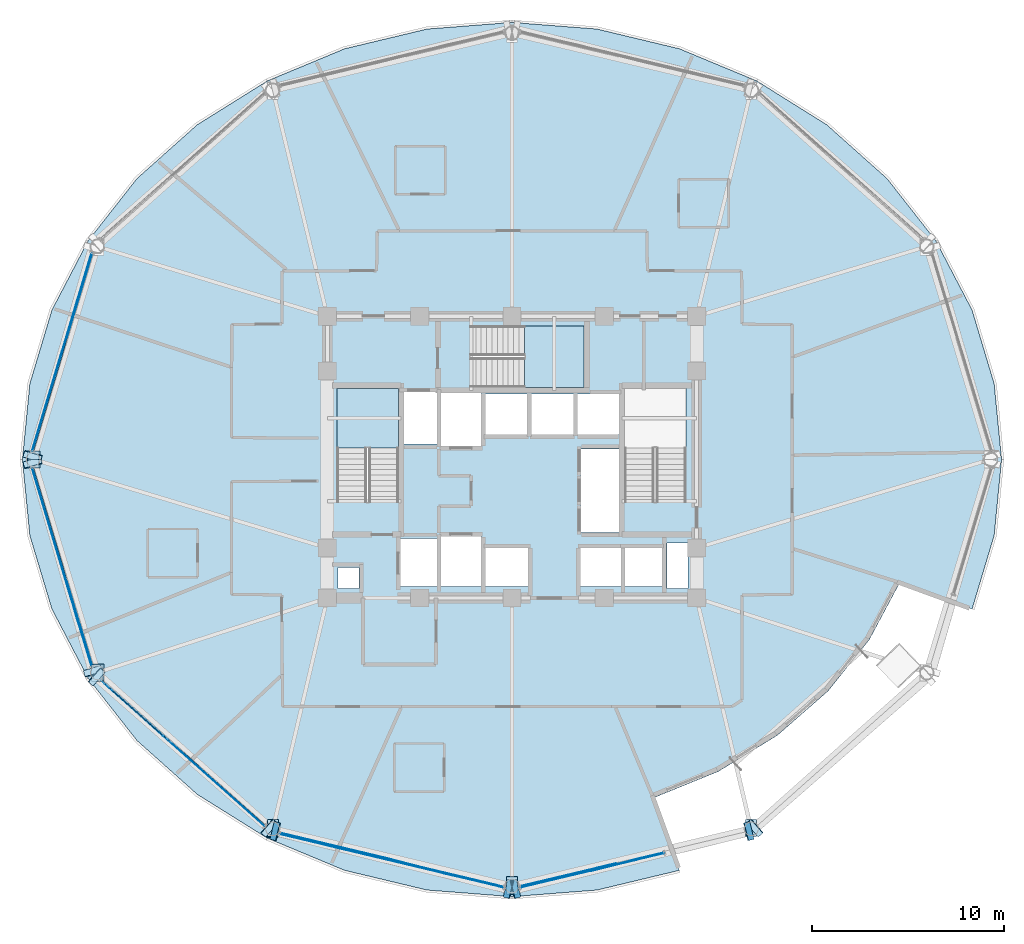
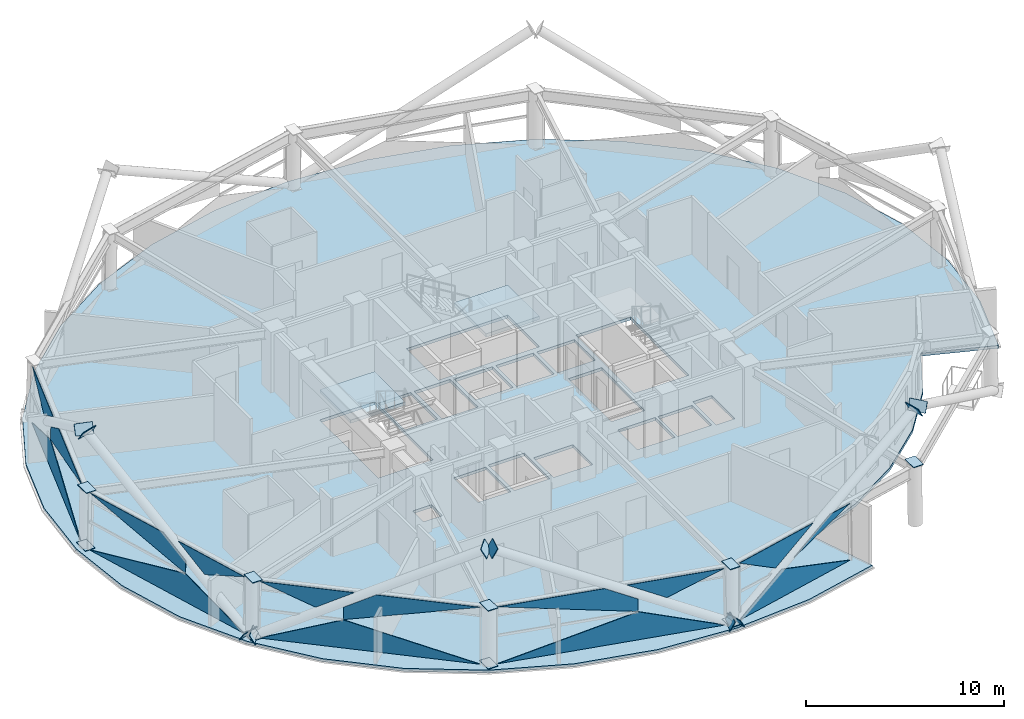
# One storey, part 8 of 17: 34 plates, 3 slabs, 7 elements without a shape of their own.
"""IFC4 building model written with IfcOpenShell, lengths in metres."""

from ifc_helpers import new_model, si_unit, direction, frame, origin, place, context, subcontext, project, spatial, polyline, outline, extrude, material, layer, layer_set, type_object, element, aggregate, save


model = new_model("IFC4")

# Units and contexts
model_context = context("Model", 3, precision=1e-05, world=origin(), true_north=direction((0.0, 1.0)))
body_context = subcontext(model_context, "Body", "Model", "MODEL_VIEW")
ifc_project = project(units=[si_unit("LENGTHUNIT", "METRE"), si_unit("AREAUNIT", "SQUARE_METRE"), si_unit("VOLUMEUNIT", "CUBIC_METRE"), si_unit("PLANEANGLEUNIT", "RADIAN"), si_unit("MASSUNIT", "GRAM", prefix="KILO")], contexts=[model_context])

# Site, building, storey
site_placement = place(None, origin())
site = spatial("IfcSite", under=ifc_project, at=site_placement, CompositionType="ELEMENT")
building_placement = place(site_placement, origin())
building = spatial("IfcBuilding", under=site, at=building_placement, Name="Vantalir Tower", CompositionType="ELEMENT")
storey_placement = place(building_placement, frame((0.0, 0.0, 142.199951171875)))
storey = spatial("IfcBuildingStorey", under=building, at=storey_placement, Name="L35", CompositionType="ELEMENT", Elevation=142.199951171875)

# Curtain wall, plates
ifc_material_1 = material(Name="Champagne-silver PVDF aluminium and double-silver Low-E glass", Category="aluminium")
ifc_layer_1 = layer(ifc_material_1, 0.199951171875)
ifc_layer_set_1 = layer_set([ifc_layer_1], Name="Champagne-silver PVDF aluminium and double-silver Low-E glass")
curtain_wall_type = type_object("IfcCurtainWallType", Name="CW-DIAMOND-Z2", PredefinedType="USERDEFINED", material=ifc_layer_set_1)
curtain_wall_1_placement = place(storey_placement, origin())
curtain_wall_1 = element("IfcCurtainWall", 1, at=curtain_wall_1_placement, inside=storey, type_object=curtain_wall_type, Name="L35 Quilted Pyramid-Diamond Curtain Wall S06", ObjectType="UNITISED CURTAIN WALL", PredefinedType="USERDEFINED")
ifc_material_2 = material(Name="Double-silver Low-E laminated glass IGU", Category="glass")
ifc_layer_2 = layer(ifc_material_2, 0.028076171875)
ifc_layer_set_2 = layer_set([ifc_layer_2], Name="Double-silver Low-E laminated glass IGU")
plate_type_1 = type_object("IfcPlateType", Name="CWP-IGU-28", PredefinedType="CURTAIN_PANEL", material=ifc_layer_set_2)
plate_1_placement = place(storey_placement, frame((9.634033203125, 35.749267578125, 0.046875), z_axis=(-0.95766605274, 0.28786194931, 0.003351055053), x_axis=(-0.287863638285, -0.957671407759, -2.2669998e-05)))
plate_1 = element("IfcPlate", 2, at=plate_1_placement, type_object=plate_type_1, Name="CW-L35-S06 Pyramid Diamond Facet 1L", PredefinedType="CURTAIN_PANEL", context=body_context, shape_type="SweptSolid", body=[
    extrude(outline(polyline([(0.0, 0.0), (10.769327014401977, -1.1926223897340549e-18), (4.097775846630751, 1.7261768079038324), (0.0, 0.0)])), origin(), (0.0, 0.0, -1.0), 0.028076171875),
])
plate_2_placement = place(storey_placement, frame((8.0537109375, 30.28466796875, 3.5234375), z_axis=(-0.95721136728, 0.287737880689, 0.030875724556), x_axis=(-0.287873738099, -0.95766837094, 4.7059881e-05)))
plate_2 = element("IfcPlate", 3, at=plate_2_placement, type_object=plate_type_1, Name="CW-L35-S06 Pyramid Diamond Facet 2U", PredefinedType="CURTAIN_PANEL", context=body_context, shape_type="SweptSolid", body=[
    extrude(outline(polyline([(0.0, 0.0), (5.063267981563026, -3.848917712323541e-18), (-1.590380569673861, -1.727066929860366), (-1.590357927524883, -0.9779363349330978), (0.0, 0.0)])), origin(), (0.0, 0.0, -1.0), 0.028076171875),
])
plate_3_placement = place(storey_placement, frame((9.657470703125, 35.73046875, 3.5244140625), z_axis=(-0.957197089036, 0.28777049947, 0.031014067395), x_axis=(-0.287908998639, -0.957657772121, 0.0)))
plate_3 = element("IfcPlate", 4, at=plate_3_placement, type_object=plate_type_1, Name="CW-L35-S06 Pyramid Diamond Facet 2U Infill Light", PredefinedType="CURTAIN_PANEL", context=body_context, shape_type="SweptSolid", body=[
    extrude(outline(polyline([(0.0, 0.0), (4.590107323403678, 0.0), (2.7204257293240954, -1.1497229983005153), (0.0, 0.0)])), origin(), (0.0, 0.0, -1.0), 0.028076171875),
])
aggregate(curtain_wall_1, [plate_1, plate_2, plate_3])

curtain_wall_2_placement = place(storey_placement, origin())
curtain_wall_2 = element("IfcCurtainWall", 5, at=curtain_wall_2_placement, inside=storey, type_object=curtain_wall_type, Name="L35 Quilted Pyramid-Diamond Curtain Wall S07", ObjectType="UNITISED CURTAIN WALL", PredefinedType="USERDEFINED")
plate_4_placement = place(storey_placement, frame((6.533935546875, 24.564208984375, 0.046630859375), z_axis=(-0.95766605274, -0.28786194931, 0.003351055053), x_axis=(0.287863638285, -0.957671407759, 2.2669998e-05)))
plate_4 = element("IfcPlate", 6, at=plate_4_placement, type_object=plate_type_1, Name="CW-L35-S07 Pyramid Diamond Facet 1L", PredefinedType="CURTAIN_PANEL", context=body_context, shape_type="SweptSolid", body=[
    extrude(outline(polyline([(0.0, 0.0), (10.769327014401977, 1.1926223897340549e-18), (6.671551167771227, 1.7261768079038324), (0.0, 0.0)])), origin(), (0.0, 0.0, -1.0), 0.028076171875),
])
plate_5_placement = place(storey_placement, frame((6.595947265625, 24.564208984375, 3.523681640625), z_axis=(-0.95721136728, -0.287737880689, 0.030875724556), x_axis=(0.287873738099, -0.95766837094, -4.7059881e-05)))
plate_5 = element("IfcPlate", 7, at=plate_5_placement, type_object=plate_type_1, Name="CW-L35-S07 Pyramid Diamond Facet 2U", PredefinedType="CURTAIN_PANEL", context=body_context, shape_type="SweptSolid", body=[
    extrude(outline(polyline([(0.0, 0.0), (5.063267981563026, 3.848917712323541e-18), (6.653625909087909, -0.9779363349330977), (6.653648551236888, -1.7270669298603658), (0.0, 0.0)])), origin(), (0.0, 0.0, -1.0), 0.028076171875),
])
plate_6_placement = place(storey_placement, frame((8.3359375, 18.665283203125, 3.5244140625), z_axis=(-0.957197089036, -0.28777049947, 0.031014067395), x_axis=(0.287908998639, -0.957657772121, 0.0)))
plate_6 = element("IfcPlate", 8, at=plate_6_placement, type_object=plate_type_1, Name="CW-L35-S07 Pyramid Diamond Facet 2U Infill Light", PredefinedType="CURTAIN_PANEL", context=body_context, shape_type="SweptSolid", body=[
    extrude(outline(polyline([(0.0, 0.0), (4.590107323403678, 0.0), (1.869681594079583, -1.1497229983005153), (0.0, 0.0)])), origin(), (0.0, 0.0, -1.0), 0.028076171875),
])
aggregate(curtain_wall_2, [plate_4, plate_5, plate_6])

curtain_wall_3_placement = place(storey_placement, origin())
curtain_wall_3 = element("IfcCurtainWall", 9, at=curtain_wall_3_placement, inside=storey, type_object=curtain_wall_type, Name="L35 Quilted Pyramid-Diamond Curtain Wall S08", ObjectType="UNITISED CURTAIN WALL", PredefinedType="USERDEFINED")
plate_7_placement = place(storey_placement, frame((10.1044921875, 13.51220703125, 0.046630859375), z_axis=(-0.665384447468, -0.746495540801, 0.002818622248), x_axis=(0.746498465783, -0.665387135527, -2.1424018e-05)))
plate_7 = element("IfcPlate", 10, at=plate_7_placement, type_object=plate_type_1, Name="CW-L35-S08 Pyramid Diamond Facet 1L", PredefinedType="CURTAIN_PANEL", context=body_context, shape_type="SweptSolid", body=[
    extrude(outline(polyline([(0.0, 0.0), (11.395650932216812, -4.0115480381963664e-18), (4.336856508556239, 1.7266622721472498), (0.0, 0.0)])), origin(), (0.0, 0.0, -1.0), 0.028076171875),
])
plate_8_placement = place(storey_placement, frame((14.636962890625, 9.548583984375, 3.5234375), z_axis=(-0.665070572658, -0.74617913916, 0.029963739217), x_axis=(0.74651525432, -0.665368298715, 4.6166764e-05)))
plate_8 = element("IfcPlate", 11, at=plate_8_placement, type_object=plate_type_1, Name="CW-L35-S08 Pyramid Diamond Facet 2U", PredefinedType="CURTAIN_PANEL", context=body_context, shape_type="SweptSolid", body=[
    extrude(outline(polyline([(0.0, 0.0), (5.365318499112672, -3.3610267347050637e-18), (-1.6839939253707863, -1.7272603207361275), (-1.684050540719146, -0.9808278501973411), (0.0, 0.0)])), origin(), (0.0, 0.0, -1.0), 0.028076171875),
])
plate_9_placement = place(storey_placement, frame((10.13720703125, 13.516357421875, 3.5244140625), z_axis=(-0.665066991562, -0.746188619331, 0.029806729372), x_axis=(0.746520312689, -0.665362624997, 0.0)))
plate_9 = element("IfcPlate", 12, at=plate_9_placement, type_object=plate_type_1, Name="CW-L35-S08 Pyramid Diamond Facet 2U Infill Light", PredefinedType="CURTAIN_PANEL", context=body_context, shape_type="SweptSolid", body=[
    extrude(outline(polyline([(0.0, 0.0), (4.867308846272898, 0.0), (2.8850680383604845, -1.154809979324388), (0.0, 0.0)])), origin(), (0.0, 0.0, -1.0), 0.028076171875),
])
aggregate(curtain_wall_3, [plate_7, plate_8, plate_9])

curtain_wall_4_placement = place(storey_placement, origin())
curtain_wall_4 = element("IfcCurtainWall", 13, at=curtain_wall_4_placement, inside=storey, type_object=curtain_wall_type, Name="L35 Quilted Pyramid-Diamond Curtain Wall S09", ObjectType="UNITISED CURTAIN WALL", PredefinedType="USERDEFINED")
plate_10_placement = place(storey_placement, frame((19.3935546875, 5.521240234375, 0.04638671875), z_axis=(-0.232289817625, -0.972644733842, 0.001913728391), x_axis=(0.972646523782, -0.232290205047, 2.0358475e-05)))
plate_10 = element("IfcPlate", 14, at=plate_10_placement, type_object=plate_type_1, Name="CW-L35-S09 Pyramid Diamond Facet 1L", PredefinedType="CURTAIN_PANEL", context=body_context, shape_type="SweptSolid", body=[
    extrude(outline(polyline([(0.0, 0.0), (11.992087788120713, 1.8973538018496328e-19), (7.428788054169563, 1.7269027050779848), (0.0, 0.0)])), origin(), (0.0, 0.0, -1.0), 0.028076171875),
])
plate_11_placement = place(storey_placement, frame((19.424560546875, 5.5703125, 3.523681640625), z_axis=(-0.23223011881, -0.972215014498, 0.029447198558), x_axis=(0.97263681217, -0.232330866678, 1.87912e-07)))
plate_11 = element("IfcPlate", 15, at=plate_11_placement, type_object=plate_type_1, Name="CW-L35-S09 Pyramid Diamond Facet 2U", PredefinedType="CURTAIN_PANEL", context=body_context, shape_type="SweptSolid", body=[
    extrude(outline(polyline([(0.0, 0.0), (5.6557268985058595, 0.0), (7.409877866376199, -0.9764990824671348), (7.409882545378596, -1.7278003936049133), (0.0, 0.0)])), origin(), (0.0, 0.0, -1.0), 0.028076171875),
])
plate_12_placement = place(storey_placement, frame((26.056884765625, 3.953125, 3.5244140625), z_axis=(-0.232216023165, -0.972217421857, 0.029478860604), x_axis=(0.972640127413, -0.23231698721, 0.0)))
plate_12 = element("IfcPlate", 16, at=plate_12_placement, type_object=plate_type_1, Name="CW-L35-S09 Pyramid Diamond Facet 2U Infill Light", PredefinedType="CURTAIN_PANEL", context=body_context, shape_type="SweptSolid", body=[
    extrude(outline(polyline([(0.0, 0.0), (5.133619230558663, 0.0), (2.0817370982619647, -1.1587066943502888), (0.0, 0.0)])), origin(), (0.0, 0.0, -1.0), 0.028076171875),
])
aggregate(curtain_wall_4, [plate_10, plate_11, plate_12])

curtain_wall_5_placement = place(storey_placement, origin())
curtain_wall_5 = element("IfcCurtainWall", 17, at=curtain_wall_5_placement, inside=storey, type_object=curtain_wall_type, Name="L35 Quilted Pyramid-Diamond Curtain Wall S10", ObjectType="UNITISED CURTAIN WALL", PredefinedType="USERDEFINED")
plate_13_placement = place(storey_placement, frame((31.9423828125, 2.735595703125, 0.04736328125), z_axis=(0.232312419522, -0.972639373843, 0.001894250835), x_axis=(0.972641132331, 0.232312777715, -3.1741054e-05)))
plate_13 = element("IfcPlate", 18, at=plate_13_placement, type_object=plate_type_1, Name="CW-L35-S10 Pyramid Diamond Facet 1L", PredefinedType="CURTAIN_PANEL", context=body_context, shape_type="SweptSolid", body=[
    extrude(outline(polyline([(0.0, 0.0), (7.691635612760562, 1.0842021724855044e-19), (2.9267247667396403, 1.7244612264207384), (0.0, 0.0)])), origin(), (0.0, 0.0, -1.0), 0.028076171875),
])
plate_14_placement = place(storey_placement, frame((31.9423828125, 2.79150390625, 3.522705078125), z_axis=(0.232223829744, -0.972217457596, 0.029416118786), x_axis=(0.972638038239, 0.232325728897, 4.7568741e-05)))
plate_14 = element("IfcPlate", 19, at=plate_14_placement, type_object=plate_type_1, Name="CW-L35-S10 Pyramid Diamond Facet 2U", PredefinedType="CURTAIN_PANEL", context=body_context, shape_type="SweptSolid", body=[
    extrude(outline(polyline([(0.0, 0.0), (5.132375213715207, 1.111307226797642e-18), (2.4868680907481466, -1.472679425546538), (0.0, 0.0)])), origin(), (0.0, 0.0, -1.0), 0.028076171875),
])
plate_15_placement = place(storey_placement, frame((38.08056640625, 4.224853515625, 3.52392578125), z_axis=(0.232212452993, -0.972222314723, 0.029345313579), x_axis=(0.972641198657, 0.232312502194, 0.0)))
plate_15 = element("IfcPlate", 20, at=plate_15_placement, type_object=plate_type_1, Name="CW-L35-S10 Pyramid Diamond Facet 2U Infill Light", PredefinedType="CURTAIN_PANEL", context=body_context, shape_type="SweptSolid", body=[
    extrude(outline(polyline([(0.0, 0.0), (1.3672400328216545, 0.0), (-2.5574580153494644, -1.4237088467617396), (0.0, 0.0)])), origin(), (0.0, 0.0, -1.0), 0.028076171875),
])
aggregate(curtain_wall_5, [plate_13, plate_14, plate_15])

# Plates
ifc_material_3 = material(Name="Steel S460", Category="steel")
ifc_layer_3 = layer(ifc_material_3, 0.0400390625)
ifc_layer_set_3 = layer_set([ifc_layer_3], Name="Steel S460")
plate_type_2 = type_object("IfcPlateType", Name="PLT-KN-Z1", PredefinedType="USERDEFINED", material=ifc_layer_set_3)
plate_16_placement = place(storey_placement, frame((6.070068359375, 25.1298828125, 6.87744140625), z_axis=(-0.236858925411, -0.818279725681, 0.523751983282), x_axis=(0.960567876744, -0.278045597281, 0.0)))
element("IfcPlate", 21, at=plate_16_placement, inside=storey, type_object=plate_type_2, Name="Node Cap Plate MEM-DG-L35-R16L End", ObjectType="FLANGE_PLATE", PredefinedType="USERDEFINED", context=body_context, shape_type="SweptSolid", body=[
    extrude(outline(polyline([(0.0, 0.0), (0.9500605614080703, -2.7755575615628914e-17), (0.9500771241692877, 0.6201883107837914), (1.656276121744793e-05, 0.6201883107837916), (0.0, 0.0)])), origin(), (0.0, 0.0, -1.0), 0.0400390625),
])
plate_17_placement = place(storey_placement, frame((9.718017578125, 13.22509765625, -0.072998046875), z_axis=(0.650136035253, -0.568980051344, 0.503572077103), x_axis=(0.658558929969, 0.752529158231, 4.2074172e-05)))
element("IfcPlate", 22, at=plate_17_placement, inside=storey, type_object=plate_type_2, Name="Node Cap Plate MEM-DG-L35-R22L Start", ObjectType="FLANGE_PLATE", PredefinedType="USERDEFINED", context=body_context, shape_type="SweptSolid", body=[
    extrude(outline(polyline([(0.0, 0.0), (0.9498616586623367, -2.7755575615628914e-17), (0.9499075989294837, 0.6199462587250645), (-0.00011484072161482518, 0.6200387823116502), (0.0, 0.0)])), origin(), (0.0, 0.0, -1.0), 0.0400390625),
])
plate_18_placement = place(storey_placement, frame((18.6953125, 5.36962890625, 6.87744140625), z_axis=(0.65030089794, -0.569041038381, 0.503290213273), x_axis=(0.65852279772, 0.752560778198, 0.0)))
element("IfcPlate", 23, at=plate_18_placement, inside=storey, type_object=plate_type_2, Name="Node Cap Plate MEM-DG-L35-R22L End", ObjectType="FLANGE_PLATE", PredefinedType="USERDEFINED", context=body_context, shape_type="SweptSolid", body=[
    extrude(outline(polyline([(0.0, 0.0), (0.9502061645264489, -2.7755575615628914e-17), (0.9502445541348985, 0.6201572183150383), (3.838960844958326e-05, 0.6201572183150383), (0.0, 0.0)])), origin(), (0.0, 0.0, -1.0), 0.0400390625),
])
plate_19_placement = place(storey_placement, frame((10.1220703125, 14.28955078125, -0.064697265625), z_axis=(-0.236905831818, 0.818441773876, 0.523477496771), x_axis=(-0.960567876744, -0.278045597281, 0.0)))
element("IfcPlate", 24, at=plate_19_placement, inside=storey, type_object=plate_type_2, Name="Node Cap Plate MEM-DG-L35-R22R Start", ObjectType="FLANGE_PLATE", PredefinedType="USERDEFINED", context=body_context, shape_type="SweptSolid", body=[
    extrude(outline(polyline([(0.0, 0.0), (0.9500605614080703, 0.0), (0.949976116420954, 0.62006551598103), (-8.444498711617102e-05, 0.6200655159810299), (0.0, 0.0)])), origin(), (0.0, 0.0, -1.0), 0.0400390625),
])
plate_20_placement = place(storey_placement, frame((6.982666015625, 25.13427734375, 6.87744140625), z_axis=(-0.236858925411, 0.818279725681, 0.523751983282), x_axis=(-0.960567876744, -0.278045597281, 0.0)))
element("IfcPlate", 25, at=plate_20_placement, inside=storey, type_object=plate_type_2, Name="Node Cap Plate MEM-DG-L35-R22R End", ObjectType="FLANGE_PLATE", PredefinedType="USERDEFINED", context=body_context, shape_type="SweptSolid", body=[
    extrude(outline(polyline([(0.0, 0.0), (0.9500605614080703, 2.7755575615628914e-17), (0.9500439986468527, 0.6201883107837916), (-1.656276121744793e-05, 0.6201883107837916), (0.0, 0.0)])), origin(), (0.0, 0.0, -1.0), 0.0400390625),
])
plate_21_placement = place(storey_placement, frame((31.953857421875, 2.253173828125, -0.079833984375), z_axis=(0.848144524582, 0.209958996686, 0.486382652992), x_axis=(-0.240297544555, 0.970699278912, 0.0)))
element("IfcPlate", 26, at=plate_21_placement, inside=storey, type_object=plate_type_2, Name="Node Cap Plate MEM-DG-L35-R28L Start", ObjectType="FLANGE_PLATE", PredefinedType="USERDEFINED", context=body_context, shape_type="SweptSolid", body=[
    extrude(outline(polyline([(0.0, 0.0), (0.9499534620631447, 1.3877787807814457e-17), (0.9499092897203957, 0.6200292794589786), (-4.417234274903259e-05, 0.6200292794589785), (0.0, 0.0)])), origin(), (0.0, 0.0, -1.0), 0.0400390625),
])
plate_22_placement = place(storey_placement, frame((44.088134765625, 5.2587890625, 6.877685546875), z_axis=(0.848092121375, 0.210170565424, 0.486382655007), x_axis=(-0.240539684753, 0.970639304819, 0.0)))
element("IfcPlate", 27, at=plate_22_placement, inside=storey, type_object=plate_type_2, Name="Node Cap Plate MEM-DG-L35-R28L End", ObjectType="FLANGE_PLATE", PredefinedType="USERDEFINED", context=body_context, shape_type="SweptSolid", body=[
    extrude(outline(polyline([(0.0, 0.0), (0.950012158014901, 1.3877787807814457e-17), (0.950043214774454, 0.6200292802546455), (3.1056759552921334e-05, 0.6200292802546455), (0.0, 0.0)])), origin(), (0.0, 0.0, -1.0), 0.0400390625),
])
plate_23_placement = place(storey_placement, frame((31.2744140625, 3.17529296875, -0.079833984375), z_axis=(-0.848144524582, 0.209958996686, 0.486382652992), x_axis=(-0.240297544555, -0.970699278912, 0.0)))
element("IfcPlate", 28, at=plate_23_placement, inside=storey, type_object=plate_type_2, Name="Node Cap Plate MEM-DG-L35-R28R Start", ObjectType="FLANGE_PLATE", PredefinedType="USERDEFINED", context=body_context, shape_type="SweptSolid", body=[
    extrude(outline(polyline([(0.0, 0.0), (0.9499534620631447, -1.3877787807814457e-17), (0.9499976344058936, 0.6200292794589785), (4.417234274903259e-05, 0.6200292794589785), (0.0, 0.0)])), origin(), (0.0, 0.0, -1.0), 0.0400390625),
])
plate_24_placement = place(storey_placement, frame((19.140380859375, 6.180908203125, 6.877685546875), z_axis=(-0.848092121375, 0.210170565424, 0.486382655007), x_axis=(-0.240539684753, -0.970639304819, 0.0)))
element("IfcPlate", 29, at=plate_24_placement, inside=storey, type_object=plate_type_2, Name="Node Cap Plate MEM-DG-L35-R28R End", ObjectType="FLANGE_PLATE", PredefinedType="USERDEFINED", context=body_context, shape_type="SweptSolid", body=[
    extrude(outline(polyline([(0.0, 0.0), (0.950012158014901, -1.3877787807814457e-17), (0.9499811012553481, 0.6200292802546455), (-3.1056759552921334e-05, 0.6200292802546455), (0.0, 0.0)])), origin(), (0.0, 0.0, -1.0), 0.0400390625),
])
plate_25_placement = place(storey_placement, frame((43.678955078125, 6.084716796875, 6.87744140625), z_axis=(-0.65030089794, -0.569041038381, 0.503290213273), x_axis=(0.65852279772, -0.752560778198, 0.0)))
element("IfcPlate", 30, at=plate_25_placement, inside=storey, type_object=plate_type_2, Name="Node Cap Plate MEM-DG-L35-R34R End", ObjectType="FLANGE_PLATE", PredefinedType="USERDEFINED", context=body_context, shape_type="SweptSolid", body=[
    extrude(outline(polyline([(0.0, 0.0), (0.9502061645264489, 2.7755575615628914e-17), (0.9501677749179993, 0.6201572183150383), (-3.838960844958326e-05, 0.6201572183150383), (0.0, 0.0)])), origin(), (0.0, 0.0, -1.0), 0.0400390625),
])
ifc_layer_4 = layer(ifc_material_3, 0.035888671875)
ifc_layer_set_4 = layer_set([ifc_layer_4], Name="Steel S460")
plate_type_3 = type_object("IfcPlateType", Name="PLT-KN-Z2", PredefinedType="USERDEFINED", material=ifc_layer_set_4)
plate_26_placement = place(storey_placement, frame((6.365478515625, 25.43994140625, 3.60302734375), z_axis=(0.017253323722, 0.0, 0.999851150332), x_axis=(0.0, -1.0, 0.0)))
element("IfcPlate", 31, at=plate_26_placement, inside=storey, type_object=plate_type_3, Name="L35 Ring Column Top Cap RC07", ObjectType="FLANGE_PLATE", PredefinedType="USERDEFINED", context=body_context, shape_type="SweptSolid", body=[
    extrude(outline(polyline([(0.0, 0.0), (0.8798828125, 0.0), (0.8798828125, 0.580164482290482), (0.0, 0.580164482290482), (0.0, 0.0)])), origin(), (0.0, 0.0, -1.0), 0.035888671875),
])
plate_27_placement = place(storey_placement, frame((6.303955078125, 25.43994140625, 0.05810546875), z_axis=(0.017260586116, 0.0, 0.999851024987), x_axis=(0.0, -1.0, 0.0)))
element("IfcPlate", 32, at=plate_27_placement, inside=storey, type_object=plate_type_3, Name="L35 Ring Column Base Cap RC07", ObjectType="FLANGE_PLATE", PredefinedType="USERDEFINED", context=body_context, shape_type="SweptSolid", body=[
    extrude(outline(polyline([(0.0, 0.0), (0.8798828125, 0.0), (0.8798828125, 0.5799203780210307), (0.0, 0.5799203780210307), (0.0, 0.0)])), origin(), (0.0, 0.0, -1.0), 0.035888671875),
])
plate_28_placement = place(storey_placement, frame((9.6943359375, 14.378173828125, 3.598876953125), z_axis=(0.015149285974, 0.008045431008, 0.999852874264), x_axis=(0.0, -0.999967627567, 0.008046354384)))
element("IfcPlate", 33, at=plate_28_placement, inside=storey, type_object=plate_type_3, Name="L35 Ring Column Top Cap RC08", ObjectType="FLANGE_PLATE", PredefinedType="USERDEFINED", context=body_context, shape_type="SweptSolid", body=[
    extrude(outline(polyline([(0.0, 0.0), (0.8799112973698919, -1.3552527156068805e-20), (0.879840577458315, 0.580144700675477), (-7.071991157689284e-05, 0.580144700675477), (0.0, 0.0)])), origin(), (0.0, 0.0, -1.0), 0.035888671875),
])
plate_29_placement = place(storey_placement, frame((9.640869140625, 14.350341796875, 0.053955078125), z_axis=(0.0151556964, 0.007768018642, 0.99985497086), x_axis=(0.0, -0.999969821556, 0.007768910933)))
element("IfcPlate", 34, at=plate_29_placement, inside=storey, type_object=plate_type_3, Name="L35 Ring Column Base Cap RC08", ObjectType="FLANGE_PLATE", PredefinedType="USERDEFINED", context=body_context, shape_type="SweptSolid", body=[
    extrude(outline(polyline([(0.0, 0.0), (0.8799093667954753, 0.0), (0.8798410853517257, 0.57990058837137), (-6.828144374960269e-05, 0.57990058837137), (0.0, 0.0)])), origin(), (0.0, 0.0, -1.0), 0.035888671875),
])
plate_30_placement = place(storey_placement, frame((18.787353515625, 6.2802734375, 3.5947265625), z_axis=(0.008630476033, 0.013455550176, 0.999872223363), x_axis=(1.197088e-06, -0.999909463381, 0.013456040992)))
element("IfcPlate", 35, at=plate_30_placement, inside=storey, type_object=plate_type_3, Name="L35 Ring Column Top Cap RC09", ObjectType="FLANGE_PLATE", PredefinedType="USERDEFINED", context=body_context, shape_type="SweptSolid", body=[
    extrude(outline(polyline([(0.0, 0.0), (0.8799608388656391, -1.3552527156068805e-20), (0.8798958296526102, 0.5798545267310989), (-6.829437928676556e-05, 0.579856633594079), (0.0, 0.0)])), origin(), (0.0, 0.0, -1.0), 0.035888671875),
])
plate_31_placement = place(storey_placement, frame((18.756591796875, 6.232666015625, 0.049560546875), z_axis=(0.008630476033, 0.013455550176, 0.999872223363), x_axis=(-1.197083e-06, -0.999909463103, 0.013456061654)))
element("IfcPlate", 36, at=plate_31_placement, inside=storey, type_object=plate_type_3, Name="L35 Ring Column Base Cap RC09", ObjectType="FLANGE_PLATE", PredefinedType="USERDEFINED", context=body_context, shape_type="SweptSolid", body=[
    extrude(outline(polyline([(0.0, 0.0), (0.8799641240344191, -2.710505431213761e-20), (0.8798944413275386, 0.5798566334289026), (-6.63975355783869e-05, 0.579854526573788), (0.0, 0.0)])), origin(), (0.0, 0.0, -1.0), 0.035888671875),
])
for number, where, z_axis, x_axis, name in (
    (37, (31.2099609375, 3.31640625, 3.591064453125), (0.0, 0.015813782574, 0.999874954322), (0.0, -0.999874954322, 0.015813782574), "L35 Ring Column Top Cap RC10"),
    (38, (31.2099609375, 3.2607421875, 0.046142578125), (0.0, 0.015813782574, 0.999874954322), (0.0, -0.999874954322, 0.015813782574), "L35 Ring Column Base Cap RC10"),
):
    element("IfcPlate", number, at=place(storey_placement, frame(where, z_axis=z_axis, x_axis=x_axis)), inside=storey, type_object=plate_type_3, Name=name, ObjectType="FLANGE_PLATE", PredefinedType="USERDEFINED", context=body_context, shape_type="SweptSolid", body=[
        extrude(outline(polyline([(0.0, 0.0), (0.879992851802664, 0.0), (0.879992851802664, 0.580078125), (0.0, 0.580078125), (0.0, 0.0)])), origin(), (0.0, 0.0, -1.0), 0.035888671875),
    ])
plate_32_placement = place(storey_placement, frame((43.6328125, 6.2802734375, 3.743896484375), z_axis=(-0.008209566333, 0.012900822191, 0.999883079068), x_axis=(1.138722e-06, -0.9999167752, 0.012901266299)))
element("IfcPlate", 39, at=plate_32_placement, inside=storey, type_object=plate_type_3, Name="L35 Ring Column Top Cap RC11", ObjectType="FLANGE_PLATE", PredefinedType="USERDEFINED", context=body_context, shape_type="SweptSolid", body=[
    extrude(outline(polyline([(0.0, 0.0), (0.8799576214202262, -1.3552527156068805e-20), (0.8800181264311099, 0.57985252276283), (6.36547341013773e-05, 0.5798545268810926), (0.0, 0.0)])), origin(), (0.0, 0.0, -1.0), 0.035888671875),
])

# Stair, slab
ifc_material_4 = material(Name="Concrete C40/50", Category="concrete")
stair_type = type_object("IfcStairType", Name="STR-CORE-1450", PredefinedType="HALF_TURN_STAIR", material=ifc_material_4)
stair_1_placement = place(storey_placement, origin())
stair_1 = element("IfcStair", 40, at=stair_1_placement, inside=storey, type_object=stair_type, Name="L35 Core Exit Stair 1", PredefinedType="HALF_TURN_STAIR")
ifc_layer_5 = layer(ifc_material_4, 0.199951171875)
ifc_layer_set_5 = layer_set([ifc_layer_5], Name="Concrete C40/50")
slab_type_1 = type_object("IfcSlabType", Name="SL-LAND-200", PredefinedType="LANDING", material=ifc_layer_set_5)
slab_1_placement = place(storey_placement, frame((0.0, 0.0, 1.675048828125)))
slab_1 = element("IfcSlab", 41, at=slab_1_placement, type_object=slab_type_1, Name="ST1 landing 1", PredefinedType="LANDING", context=body_context, shape_type="SweptSolid", body=[
    extrude(outline(polyline([(25.60009765625, 25.590087890625), (25.60009765625, 28.699951171875), (22.39990234375, 28.699951171875), (22.39990234375, 25.590087890625), (25.60009765625, 25.590087890625)])), origin(), (0.0, 0.0, 1.0), 0.199951171875),
])
aggregate(stair_1, [slab_1])

stair_2_placement = place(storey_placement, origin())
stair_2 = element("IfcStair", 42, at=stair_2_placement, inside=storey, type_object=stair_type, Name="L35 Core Exit Stair 3", PredefinedType="HALF_TURN_STAIR")
slab_2_placement = place(storey_placement, frame((0.0, 0.0, 1.675048828125)))
slab_2 = element("IfcSlab", 43, at=slab_2_placement, type_object=slab_type_1, Name="ST3 landing 1", PredefinedType="LANDING", context=body_context, shape_type="SweptSolid", body=[
    extrude(outline(polyline([(32.139892578125, 28.75), (35.25, 28.75), (35.25, 31.949951171875), (32.139892578125, 31.949951171875), (32.139892578125, 28.75)])), origin(), (0.0, 0.0, 1.0), 0.199951171875),
])
aggregate(stair_2, [slab_2])

# Slab
ifc_layer_6 = layer(ifc_material_4, 0.179931640625)
ifc_layer_set_6 = layer_set([ifc_layer_6], Name="Concrete C40/50")
slab_type_2 = type_object("IfcSlabType", Name="SL-TWR-180", PredefinedType="FLOOR", material=ifc_layer_set_6)
slab_3_placement = place(storey_placement, frame((0.0, 0.0, -0.179931640625)))
element("IfcSlab", 44, at=slab_3_placement, inside=storey, type_object=slab_type_2, Name="L35 Primary Structural Slab", PredefinedType="FLOOR", context=body_context, shape_type="SweptSolid", body=[
    extrude(outline(polyline([(15.136962890625, 7.587890625), (18.77099609375, 5.31494140625), (22.79296875, 3.64111328125), (27.0791015625, 2.614990234375), (31.5, 2.27001953125), (35.9208984375, 2.614990234375), (40.20703125, 3.64111328125), (38.839111328125, 7.39990234375), (42.22900390625, 8.779052734375), (45.2919921875, 10.652099609375), (47.93701171875, 12.9609375), (50.08203125, 15.635009765625), (51.6630859375, 18.593994140625), (55.422119140625, 17.22607421875), (56.570068359375, 21.052978515625), (56.95703125, 25.0), (56.570068359375, 28.947021484375), (55.422119140625, 32.77392578125), (53.5458984375, 36.364990234375), (51.0009765625, 39.611083984375), (47.863037109375, 42.412109375), (44.22900390625, 44.68505859375), (40.20703125, 46.35888671875), (35.9208984375, 47.385009765625), (31.5, 47.72998046875), (27.0791015625, 47.385009765625), (22.79296875, 46.35888671875), (18.77197265625, 44.68505859375), (15.136962890625, 42.412109375), (11.9990234375, 39.611083984375), (9.4541015625, 36.364990234375), (7.577880859375, 32.77392578125), (6.429931640625, 28.947021484375), (6.04296875, 25.0), (6.429931640625, 21.052978515625), (7.577880859375, 17.22607421875), (9.4541015625, 13.635009765625), (11.9990234375, 10.388916015625), (15.136962890625, 7.587890625)]), holes=[polyline([(22.39990234375, 22.7900390625), (22.39990234375, 28.699951171875), (25.60009765625, 28.699951171875), (25.60009765625, 22.7900390625), (22.39990234375, 22.7900390625)]), polyline([(37.35009765625, 28.699951171875), (40.550048828125, 28.699951171875), (40.550048828125, 22.7900390625), (37.35009765625, 22.7900390625), (37.35009765625, 28.699951171875)]), polyline([(35.25, 28.75), (29.340087890625, 28.75), (29.340087890625, 31.949951171875), (35.25, 31.949951171875), (35.25, 28.75)]), polyline([(27.60009765625, 18.39990234375), (25.699951171875, 18.39990234375), (25.699951171875, 20.89990234375), (27.60009765625, 20.89990234375), (27.60009765625, 18.39990234375)]), polyline([(25.699951171875, 25.800048828125), (25.699951171875, 28.5), (27.60009765625, 28.5), (27.60009765625, 25.800048828125), (25.699951171875, 25.800048828125)]), polyline([(27.800048828125, 21.0), (29.89990234375, 21.0), (29.89990234375, 18.39990234375), (27.800048828125, 18.39990234375), (27.800048828125, 21.0)]), polyline([(29.89990234375, 28.5), (29.89990234375, 25.699951171875), (27.800048828125, 25.699951171875), (27.800048828125, 28.5), (29.89990234375, 28.5)]), polyline([(32.39990234375, 18.39990234375), (30.10009765625, 18.39990234375), (30.10009765625, 20.39990234375), (32.39990234375, 20.39990234375), (32.39990234375, 18.39990234375)]), polyline([(37.35009765625, 18.39990234375), (37.35009765625, 20.39990234375), (39.35009765625, 20.39990234375), (39.35009765625, 18.39990234375), (37.35009765625, 18.39990234375)]), polyline([(35.0, 20.39990234375), (37.199951171875, 20.39990234375), (37.199951171875, 18.39990234375), (35.0, 18.39990234375), (35.0, 20.39990234375)]), polyline([(32.300048828125, 28.39990234375), (32.300048828125, 26.300048828125), (30.10009765625, 26.300048828125), (30.10009765625, 28.39990234375), (32.300048828125, 28.39990234375)]), polyline([(34.699951171875, 26.300048828125), (32.5, 26.300048828125), (32.5, 28.39990234375), (34.699951171875, 28.39990234375), (34.699951171875, 26.300048828125)]), polyline([(34.89990234375, 26.300048828125), (34.89990234375, 28.39990234375), (37.10009765625, 28.39990234375), (37.10009765625, 26.300048828125), (34.89990234375, 26.300048828125)]), polyline([(35.10009765625, 25.56005859375), (37.06005859375, 25.56005859375), (37.06005859375, 21.199951171875), (35.10009765625, 21.199951171875), (35.10009765625, 25.56005859375)]), polyline([(23.550048828125, 19.39990234375), (23.550048828125, 18.300048828125), (22.449951171875, 18.300048828125), (22.449951171875, 19.39990234375), (23.550048828125, 19.39990234375)]), polyline([(40.64990234375, 18.300048828125), (39.550048828125, 18.300048828125), (39.550048828125, 20.64990234375), (40.64990234375, 20.64990234375), (40.64990234375, 18.300048828125)])]), origin(), (0.0, 0.0, 1.0), 0.179931640625),
])

save(model, "model.ifc")
